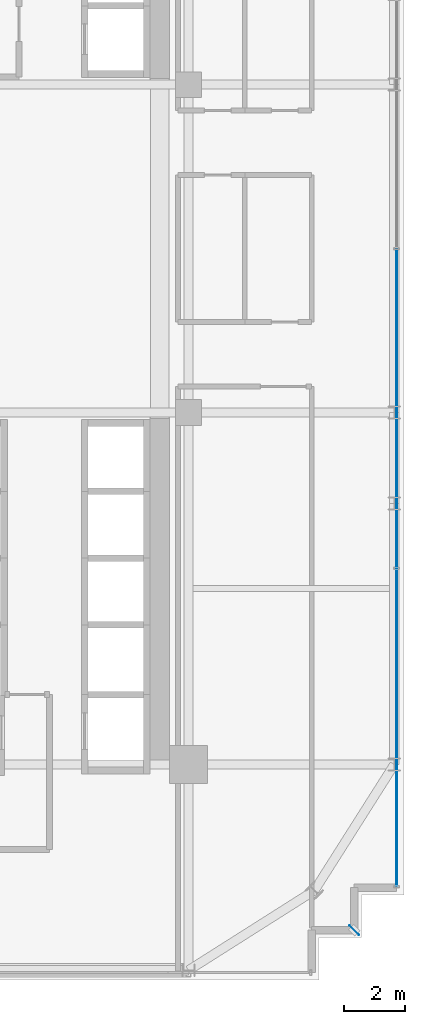
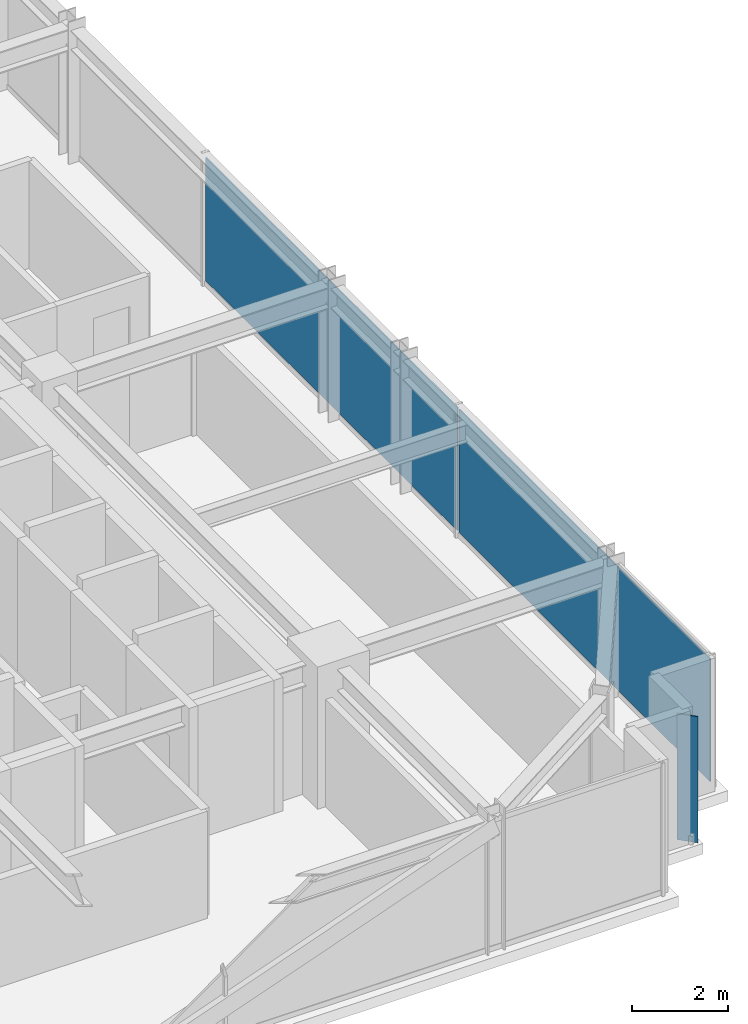
# One storey, part 28 of 40: 3 plates, 1 element without a shape of its own.
"""IFC4 building model written with IfcOpenShell, lengths in metres."""

from ifc_helpers import new_model, si_unit, direction, frame, origin, origin_2d, place, context, subcontext, project, spatial, rectangle, extrude, source, transform, mapped, material, layer, layer_set, type_object, element, aggregate, save


model = new_model("IFC4")

# Units and contexts
model_context = context("Model", 3, precision=1e-05, world=origin(), true_north=direction((0.0, 1.0)))
body_context = subcontext(model_context, "Body", "Model", "MODEL_VIEW")
ifc_project = project(units=[si_unit("LENGTHUNIT", "METRE"), si_unit("AREAUNIT", "SQUARE_METRE"), si_unit("VOLUMEUNIT", "CUBIC_METRE"), si_unit("PLANEANGLEUNIT", "RADIAN"), si_unit("MASSUNIT", "GRAM", prefix="KILO")], contexts=[model_context])

# Site, building, storey
site_placement = place(None, origin())
site = spatial("IfcSite", under=ifc_project, at=site_placement, CompositionType="ELEMENT")
building_placement = place(site_placement, origin())
building = spatial("IfcBuilding", under=site, at=building_placement, Name="Nahalor Promenade Grand Hotel", CompositionType="ELEMENT")
storey_placement = place(building_placement, frame((0.0, 0.0, 91.949951171875)))
storey = spatial("IfcBuildingStorey", under=building, at=storey_placement, Name="L22", CompositionType="ELEMENT", Elevation=91.949951171875)

# Plate
ifc_material_1 = material(Name="Anodised Bronze Aluminium EN AW-6063 T6", Category="aluminium")
ifc_layer_1 = layer(ifc_material_1, 0.02001953125)
ifc_layer_set_1 = layer_set([ifc_layer_1], Name="Anodised Bronze Aluminium EN AW-6063 T6")
plate_type_1 = type_object("IfcPlateType", Name="Plate-CornerFin-20", PredefinedType="SHEET", material=ifc_layer_set_1)
shared_shape_1 = source(origin(), body_context, "Body", "SweptSolid", [
    extrude(rectangle(XDim=0.449951171875, YDim=0.02001953125, at=origin_2d()), origin(), (0.0, 0.0, 1.0), 3.199951171875),
])
plate_1_placement = place(storey_placement, frame((22.4599609375, -22.4599609375, 0.0), z_axis=(0.0, 0.0, 1.0), x_axis=(-0.707106781187, 0.707106781187, 0.0)))
element("IfcPlate", 1, at=plate_1_placement, inside=storey, type_object=plate_type_1, Name="FIN-L22-SE", PredefinedType="SHEET", context=body_context, shape_type="MappedRepresentation", body=[
    mapped(shared_shape_1, transform((0.0, 0.0, 0.0), scale=1.0)),
])

# Curtain wall, plates
curtain_wall_type = type_object("IfcCurtainWallType", Name="CW2 Typical Hotel Flush Bronze Unitised Curtain Wall", PredefinedType="USERDEFINED", material=ifc_material_1)
curtain_wall_placement = place(storey_placement, origin())
curtain_wall = element("IfcCurtainWall", 2, at=curtain_wall_placement, inside=storey, type_object=curtain_wall_type, Name="L22 Curtain Wall CW-L22-E-1", ObjectType="UNITISED_CURTAIN_WALL", PredefinedType="USERDEFINED")
ifc_material_2 = material(Name="Low-E Laminated Solar Glass", Category="glass")
ifc_layer_2 = layer(ifc_material_2, 0.028076171875)
ifc_layer_set_2 = layer_set([ifc_layer_2], Name="Low-E Laminated Solar Glass")
plate_type_2 = type_object("IfcPlateType", Name="CWP2 Bronze Low-E Vision IGU 28mm", PredefinedType="CURTAIN_PANEL", material=ifc_layer_set_2)
shared_shape_2 = source(origin(), body_context, "Body", "SweptSolid", [
    extrude(rectangle(XDim=10.4326171875, YDim=0.028076171875, at=origin_2d()), origin(), (0.0, 0.0, 1.0), 3.1201171875),
])
plate_2_placement = place(storey_placement, frame((23.860107421875, -15.77880859375, 0.1298828125), z_axis=(0.0, 0.0, 1.0), x_axis=(0.0, 1.0, 0.0)))
plate_2 = element("IfcPlate", 3, at=plate_2_placement, type_object=plate_type_2, Name="CW-L22-E-1 Glazing Panel 0-0", PredefinedType="CURTAIN_PANEL", context=body_context, shape_type="MappedRepresentation", body=[
    mapped(shared_shape_2, transform((0.0, 0.0, 0.0), scale=1.0)),
])
shared_shape_3 = source(origin(), body_context, "Body", "SweptSolid", [
    extrude(rectangle(XDim=10.465087890625, YDim=0.028076171875, at=origin_2d()), origin(), (0.0, 0.0, 1.0), 3.1201171875),
])
plate_3_placement = place(storey_placement, frame((23.860107421875, -5.264892578125, 0.1298828125), z_axis=(0.0, 0.0, 1.0), x_axis=(0.0, 1.0, 0.0)))
plate_3 = element("IfcPlate", 4, at=plate_3_placement, type_object=plate_type_2, Name="CW-L22-E-1 Glazing Panel 1-0", PredefinedType="CURTAIN_PANEL", context=body_context, shape_type="MappedRepresentation", body=[
    mapped(shared_shape_3, transform((0.0, 0.0, 0.0), scale=1.0)),
])
aggregate(curtain_wall, [plate_2, plate_3])

save(model, "model.ifc")
